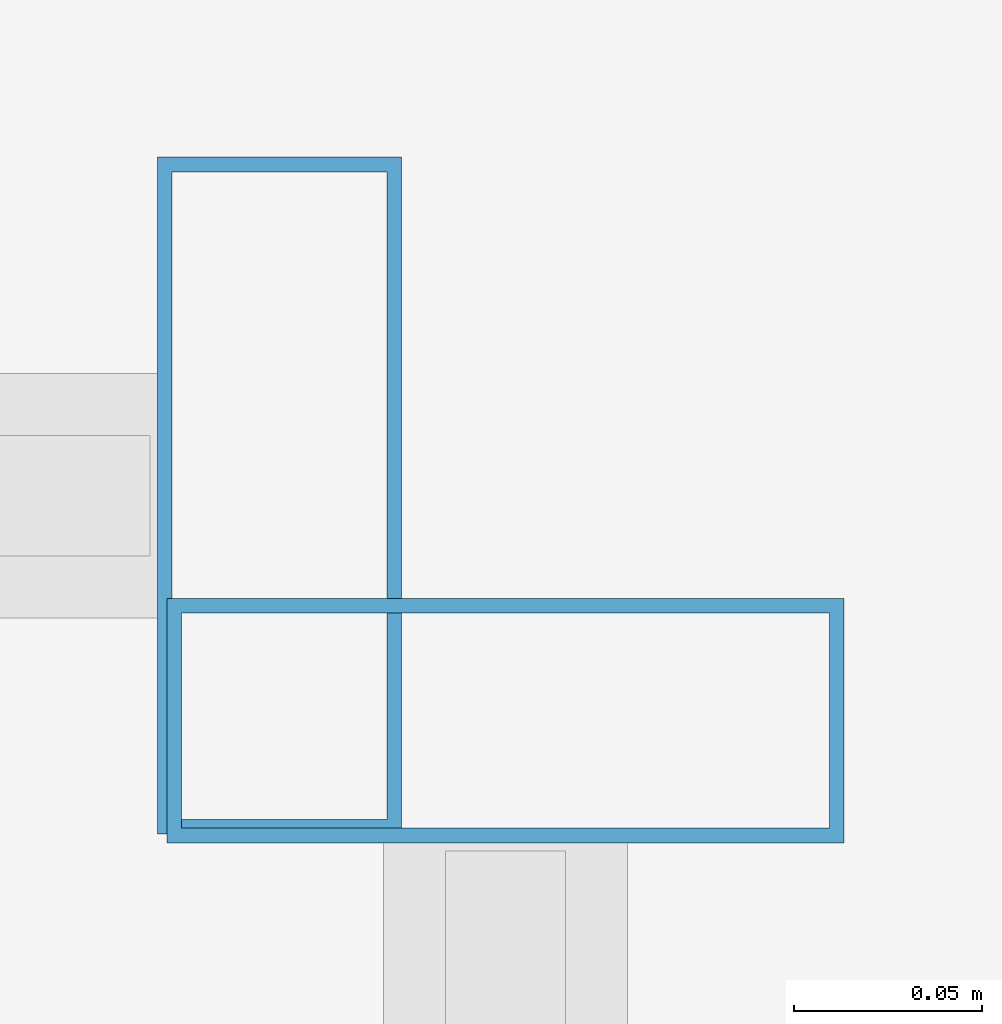
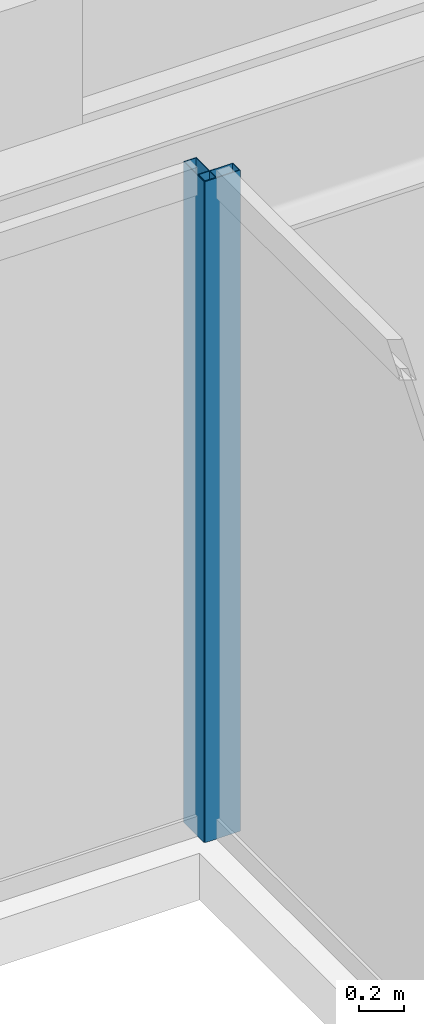
# One storey, part 14 of 38: 2 members, 2 elements without a shape of their own.
"""IFC4 building model written with IfcOpenShell, lengths in metres."""

from ifc_helpers import new_model, si_unit, direction, frame, origin, origin_2d, place, context, subcontext, project, spatial, hollow_rectangle, extrude, material, material_profile, profile_set, type_object, element, aggregate, save


model = new_model("IFC4")

# Units and contexts
model_context = context("Model", 3, precision=1e-05, world=origin(), true_north=direction((0.0, 1.0)))
body_context = subcontext(model_context, "Body", "Model", "MODEL_VIEW")
ifc_project = project(units=[si_unit("LENGTHUNIT", "METRE"), si_unit("AREAUNIT", "SQUARE_METRE"), si_unit("VOLUMEUNIT", "CUBIC_METRE"), si_unit("PLANEANGLEUNIT", "RADIAN"), si_unit("MASSUNIT", "GRAM", prefix="KILO")], contexts=[model_context])

# Site, building, storey
site_placement = place(None, origin())
site = spatial("IfcSite", under=ifc_project, at=site_placement, CompositionType="ELEMENT")
building_placement = place(site_placement, origin())
building = spatial("IfcBuilding", under=site, at=building_placement, Name="Saevonmaru Cultural Tower", CompositionType="ELEMENT")
storey_placement = place(building_placement, frame((0.0, 0.0, 137.199951171875)))
storey = spatial("IfcBuildingStorey", under=building, at=storey_placement, Name="L29", CompositionType="ELEMENT", Elevation=137.199951171875)

# Curtain wall, member
ifc_material = material(Name="Satin Bronze Anodised Aluminium", Category="aluminium")
curtain_wall_type = type_object("IfcCurtainWallType", Name="CW-ATR-GLZ", PredefinedType="NOTDEFINED", material=ifc_material)
curtain_wall_1_placement = place(storey_placement, origin())
curtain_wall_1 = element("IfcCurtainWall", 1, at=curtain_wall_1_placement, inside=storey, type_object=curtain_wall_type, Name="L29 Vertical Atrium Glazed Smoke Screen 2", PredefinedType="NOTDEFINED")
ifc_material_profile = material_profile(ifc_material, hollow_rectangle(XDim=0.06494140625, YDim=0.179931640625, WallThickness=0.00390625, at=origin_2d()), Name="ALU-MULL-180x65x4")
ifc_profile_set = profile_set([ifc_material_profile], Name="Satin Bronze Anodised Aluminium")
member_type = type_object("IfcMemberType", Name="ML-CW-INT-180x65", PredefinedType="MULLION", material=ifc_profile_set)
member_1_placement = place(storey_placement, frame((35.949951171875, 37.330078125, 0.0), z_axis=(0.0, 0.0, 1.0), x_axis=(0.0, 1.0, 0.0)))
member_1 = element("IfcMember", 2, at=member_1_placement, type_object=member_type, Name="CW-ATR-L29-2 mullion 3", PredefinedType="MULLION", context=body_context, shape_type="SweptSolid", body=[
    extrude(hollow_rectangle(XDim=0.06494140625, YDim=0.179931640625, WallThickness=0.00390625, at=origin_2d()), origin(), (0.0, 0.0, 1.0), 3.550048828125),
])
aggregate(curtain_wall_1, [member_1])

curtain_wall_2_placement = place(storey_placement, origin())
curtain_wall_2 = element("IfcCurtainWall", 3, at=curtain_wall_2_placement, inside=storey, type_object=curtain_wall_type, Name="L29 Vertical Atrium Glazed Smoke Screen 3", PredefinedType="NOTDEFINED")
member_2_placement = place(storey_placement, frame((35.889892578125, 37.389892578125, 0.0), z_axis=(0.0, 0.0, 1.0), x_axis=(-1.0, 0.0, 0.0)))
member_2 = element("IfcMember", 4, at=member_2_placement, type_object=member_type, Name="CW-ATR-L29-3 mullion 1", PredefinedType="MULLION", context=body_context, shape_type="SweptSolid", body=[
    extrude(hollow_rectangle(XDim=0.06494140625, YDim=0.179931640625, WallThickness=0.00390625, at=origin_2d()), origin(), (0.0, 0.0, 1.0), 3.550048828125),
])
aggregate(curtain_wall_2, [member_2])

save(model, "model.ifc")
